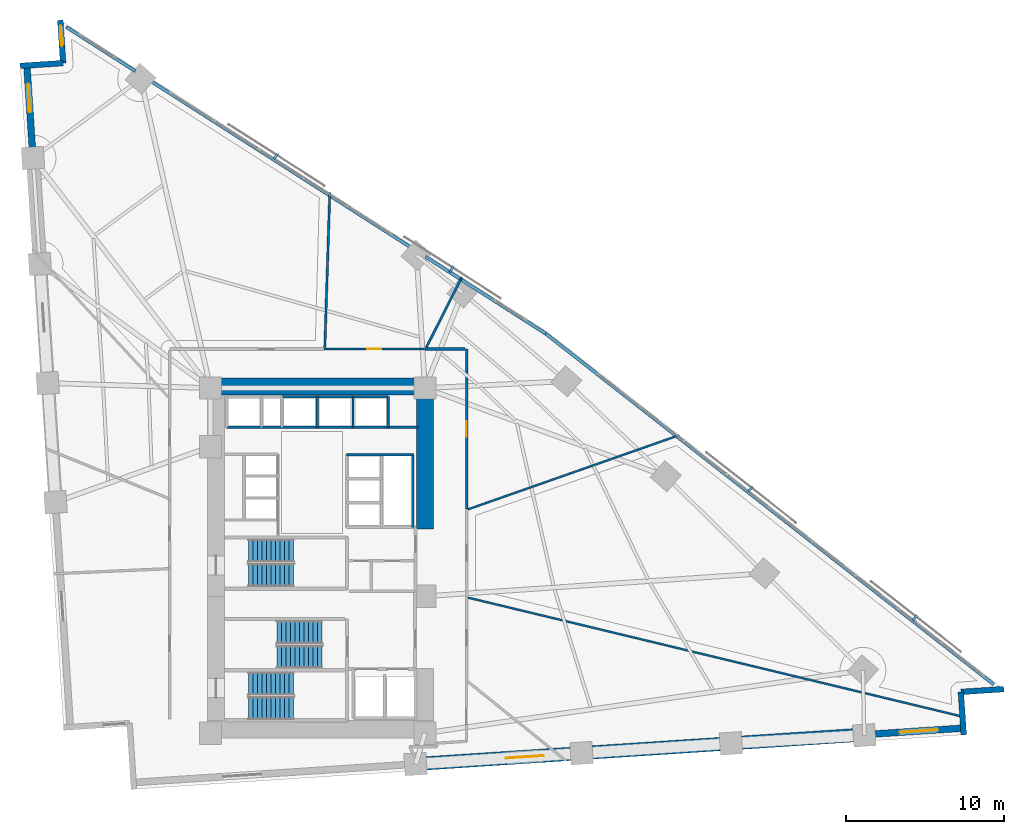
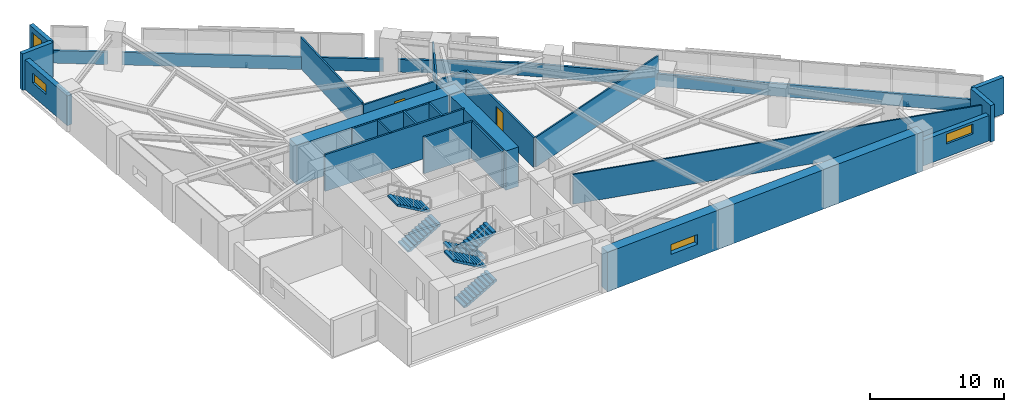
# One storey, part 14 of 16: 27 walls, 6 stair flights, 4 discrete accessories, 4 windows, 2 doors, 6 openings, 3 elements without a shape of their own.
"""IFC4 building model written with IfcOpenShell, lengths in metres."""

from ifc_helpers import new_model, si_unit, direction, frame, frame_2d, origin, origin_2d, place, context, subcontext, project, spatial, polyline, rectangle, outline, extrude, material, layer, layer_set, type_object, element, fill, aggregate, save


model = new_model("IFC4")

# Units and contexts
model_context = context("Model", 3, precision=1e-05, world=origin(), true_north=direction((0.0, 1.0)))
body_context = subcontext(model_context, "Body", "Model", "MODEL_VIEW")
ifc_project = project(units=[si_unit("LENGTHUNIT", "METRE"), si_unit("AREAUNIT", "SQUARE_METRE"), si_unit("VOLUMEUNIT", "CUBIC_METRE"), si_unit("PLANEANGLEUNIT", "RADIAN"), si_unit("MASSUNIT", "GRAM", prefix="KILO")], contexts=[model_context])

# Site, building, storey
site_placement = place(None, origin())
site = spatial("IfcSite", under=ifc_project, at=site_placement, CompositionType="ELEMENT")
building_placement = place(site_placement, origin())
building = spatial("IfcBuilding", under=site, at=building_placement, Name="Narakoshi Arena Tower", CompositionType="ELEMENT")
storey_placement = place(building_placement, frame((0.0, 0.0, 84.89990234375)))
storey = spatial("IfcBuildingStorey", under=building, at=storey_placement, Name="L22", CompositionType="ELEMENT", Elevation=84.89990234375)

# Walls
ifc_material_1 = material(Name="Concrete C60/75", Category="concrete")
ifc_layer_1 = layer(ifc_material_1, 1.10009765625)
ifc_layer_set_1 = layer_set([ifc_layer_1], Name="Concrete C60/75")
wall_type_1 = type_object("IfcWallType", Name="WL-CORE-1100", PredefinedType="SHEAR", material=ifc_layer_set_1)
wall_1_placement = place(storey_placement, frame((71.800048828125, 56.60009765625, -0.260009765625), z_axis=(0.0, 0.0, 1.0), x_axis=(1.0, 0.0, 0.0)))
element("IfcWall", 1, at=wall_1_placement, inside=storey, type_object=wall_type_1, Name="L22 Main Core Shear Wall CW-MN-N", PredefinedType="SHEAR", context=body_context, shape_type="SweptSolid", body=[
    extrude(rectangle(XDim=14.300048828125, YDim=1.10009765625, at=frame_2d((7.14990234375, 0.0))), origin(), (0.0, 0.0, 1.0), 3.60009765625),
])
wall_2_placement = place(storey_placement, frame((85.550048828125, 47.60009765625, -0.260009765625), z_axis=(0.0, 0.0, 1.0), x_axis=(0.0, 1.0, 0.0)))
element("IfcWall", 2, at=wall_2_placement, inside=storey, type_object=wall_type_1, Name="L22 Main Core Shear Wall CW-MN-E", PredefinedType="SHEAR", context=body_context, shape_type="SweptSolid", body=[
    extrude(rectangle(XDim=8.449951171875, YDim=1.10009765625, at=frame_2d((4.22509765625, 0.0))), origin(), (0.0, 0.0, 1.0), 3.60009765625),
])

# Wall, opening, door
ifc_material_2 = material(Name="Gypsum plasterboard fire-rated partition")
ifc_layer_2 = layer(ifc_material_2, 0.1650390625)
ifc_layer_set_2 = layer_set([ifc_layer_2], Name="Gypsum plasterboard fire-rated partition")
wall_type_2 = type_object("IfcWallType", Name="WL-CORR-165", PredefinedType="PARTITIONING", material=ifc_layer_set_2)
wall_3_placement = place(storey_placement, frame((88.177978515625, 48.869384765625, 0.0), z_axis=(0.0, 0.0, 1.0), x_axis=(0.0, 1.0, 0.0)))
wall_3 = element("IfcWall", 3, at=wall_3_placement, inside=storey, type_object=wall_type_2, Name="L22 Corridor Partition 05-1", PredefinedType="PARTITIONING", context=body_context, shape_type="SweptSolid", body=[
    extrude(rectangle(XDim=10.10302734375, YDim=0.1650390625, at=frame_2d((5.051513671875, 0.0))), origin(), (0.0, 0.0, 1.0), 2.72509765625),
])
opening_1_placement = place(wall_3_placement, frame((4.551513671875, 0.0, 0.0)))
opening_1 = element("IfcOpeningElement", 4, at=opening_1_placement, cuts=wall_3, Name="Opening D-06", PredefinedType="OPENING", context=body_context, shape_type="SweptSolid", body=[
    extrude(rectangle(XDim=1.0, YDim=2.199951171875, at=frame_2d((0.5, 1.10009765625))), frame((0.0, 0.092529296875, 0.0), z_axis=(0.0, -1.0, 0.0), x_axis=(1.0, 0.0, 0.0)), (0.0, 0.0, 1.0), 0.18505859375),
])
ifc_material_3 = material(Name="Stained oak solid-core timber", Category="wood")
door_type_1 = type_object("IfcDoorType", Name="DR-OFF-1000", OperationType="NOTDEFINED", PredefinedType="DOOR", material=ifc_material_3)
door_1_placement = place(opening_1_placement, frame((1.0, 0.0, 0.0), z_axis=(0.0, 0.0, 1.0), x_axis=(-1.0, 0.0, 0.0)))
door_1 = element("IfcDoor", 5, at=door_1_placement, inside=storey, type_object=door_type_1, Name="DR-L22-018", OperationType="SINGLE_SWING_RIGHT", OverallHeight=2.199951171875, OverallWidth=1.0, PredefinedType="DOOR", context=body_context, shape_type="SweptSolid", body=[
    extrude(rectangle(XDim=1.0, YDim=2.199951171875, at=frame_2d((0.5, 1.10009765625))), frame((0.0, 0.02490234375, 0.0), z_axis=(0.0, -1.0, 0.0), x_axis=(1.0, 0.0, 0.0)), (0.0, 0.0, 1.0), 0.050048828125),
])
fill(opening_1, door_1)

# Wall
wall_4_placement = place(storey_placement, frame((88.08349609375, 58.972412109375, 0.0), z_axis=(0.0, 0.0, 1.0), x_axis=(-1.0, 0.0, 0.0)))
element("IfcWall", 6, at=wall_4_placement, inside=storey, type_object=wall_type_2, Name="L22 Corridor Partition 05-2", PredefinedType="PARTITIONING", context=body_context, shape_type="SweptSolid", body=[
    extrude(rectangle(XDim=2.537841796875, YDim=0.1650390625, at=frame_2d((1.26904296875, 0.0))), origin(), (0.0, 0.0, 1.0), 2.72509765625),
])

# Wall, opening, window
ifc_layer_3 = layer(ifc_material_1, 0.85009765625)
ifc_layer_set_3 = layer_set([ifc_layer_3], Name="Concrete C60/75")
wall_type_3 = type_object("IfcWallType", Name="WL-LEG-850", PredefinedType="SHEAR", material=ifc_layer_set_3)
wall_5_placement = place(storey_placement, frame((84.95703125, 32.7509765625, -0.260009765625), z_axis=(0.0, 0.0, 1.0), x_axis=(0.997859046449, 0.065401249368, 0.0)))
wall_5 = element("IfcWall", 7, at=wall_5_placement, inside=storey, type_object=wall_type_3, Name="L22 Architectural Concrete Structural Wall LEGA-2", PredefinedType="SHEAR", context=body_context, shape_type="SweptSolid", body=[
    extrude(rectangle(XDim=28.400390625, YDim=0.85009765625, at=frame_2d((14.2001953125, 0.0))), origin(), (0.0, 0.0, 1.0), 3.60009765625),
])
opening_2_placement = place(wall_5_placement, frame((5.699951171875, 0.0, 1.199951171875)))
opening_2 = element("IfcOpeningElement", 8, at=opening_2_placement, cuts=wall_5, Name="Opening WN-01", PredefinedType="OPENING", context=body_context, shape_type="SweptSolid", body=[
    extrude(rectangle(XDim=2.39990234375, YDim=0.89990234375, at=frame_2d((1.199951171875, 0.449951171875))), frame((0.0, 0.43505859375, 0.0), z_axis=(0.0, -1.0, 0.0), x_axis=(1.0, 0.0, 0.0)), (0.0, 0.0, 1.0), 0.8701171875),
])
ifc_material_4 = material(Name="Bronze-tinted low-E laminated glass", Category="glass")
window_type_1 = type_object("IfcWindowType", Name="WIN-SLT-24x09", PartitioningType="SINGLE_PANEL", PredefinedType="WINDOW", material=ifc_material_4)
window_1_placement = place(opening_2_placement, origin())
window_1 = element("IfcWindow", 9, at=window_1_placement, inside=storey, type_object=window_type_1, Name="L22 LEGA2 Horizontal Slot Window 1", OverallHeight=0.89990234375, OverallWidth=2.39990234375, PartitioningType="SINGLE_PANEL", PredefinedType="WINDOW", context=body_context, shape_type="SweptSolid", body=[
    extrude(rectangle(XDim=2.39990234375, YDim=0.89990234375, at=frame_2d((1.199951171875, 0.449951171875))), frame((0.0, 0.030029296875, 0.0), z_axis=(0.0, -1.0, 0.0), x_axis=(1.0, 0.0, 0.0)), (0.0, 0.0, 1.0), 0.06005859375),
])
fill(opening_2, window_1)

# Walls
ifc_material_5 = material(Name="Precast concrete C45/55", Category="concrete")
ifc_layer_4 = layer(ifc_material_5, 0.25)
ifc_layer_set_4 = layer_set([ifc_layer_4], Name="Precast concrete C45/55")
wall_type_4 = type_object("IfcWallType", Name="WL-PARA-250", PredefinedType="PARAPET", material=ifc_layer_set_4)
wall_6_placement = place(storey_placement, frame((121.47607421875, 37.781494140625, 0.0), z_axis=(0.0, 0.0, 1.0), x_axis=(-0.787385636484, 0.61646075257, 0.0)))
element("IfcWall", 10, at=wall_6_placement, inside=storey, type_object=wall_type_4, Name="L22 Hypotenuse Sill Upstand Parapet 1-01", PredefinedType="PARAPET", context=body_context, shape_type="SweptSolid", body=[
    extrude(rectangle(XDim=35.957275390625, YDim=0.199951171875, at=frame_2d((17.978515625, 0.0))), origin(), (0.0, 0.0, 1.0), 1.150146484375),
])
wall_7_placement = place(storey_placement, frame((93.176025390625, 59.93896484375, 0.0), z_axis=(0.0, 0.0, 1.0), x_axis=(-0.842413081081, 0.538832256666, 0.0)))
element("IfcWall", 11, at=wall_7_placement, inside=storey, type_object=wall_type_4, Name="L22 Hypotenuse Sill Upstand Parapet 2-01", PredefinedType="PARAPET", context=body_context, shape_type="SweptSolid", body=[
    extrude(rectangle(XDim=9.010986328125, YDim=0.199951171875, at=frame_2d((4.50537109375, 0.0))), origin(), (0.0, 0.0, 1.0), 1.150146484375),
])
wall_8_placement = place(storey_placement, frame((84.681640625, 65.372314453125, 0.0), z_axis=(0.0, 0.0, 1.0), x_axis=(-0.842418773655, 0.538823356763, 0.0)))
element("IfcWall", 12, at=wall_8_placement, inside=storey, type_object=wall_type_4, Name="L22 Hypotenuse Sill Upstand Parapet 2-02", PredefinedType="PARAPET", context=body_context, shape_type="SweptSolid", body=[
    extrude(rectangle(XDim=19.612060546875, YDim=0.199951171875, at=frame_2d((9.80615234375, 0.0))), origin(), (0.0, 0.0, 1.0), 1.150146484375),
])
wall_9_placement = place(storey_placement, frame((67.2568359375, 76.517578125, 0.0), z_axis=(0.0, 0.0, 1.0), x_axis=(-0.842403631411, 0.538847030042, 0.0)))
element("IfcWall", 13, at=wall_9_placement, inside=storey, type_object=wall_type_4, Name="L22 Hypotenuse Sill Upstand Parapet 2-03", PredefinedType="PARAPET", context=body_context, shape_type="SweptSolid", body=[
    extrude(rectangle(XDim=5.1962890625, YDim=0.199951171875, at=frame_2d((2.59814453125, 0.0))), origin(), (0.0, 0.0, 1.0), 1.150146484375),
])
ifc_layer_5 = layer(ifc_material_2, 0.125)
ifc_layer_set_5 = layer_set([ifc_layer_5], Name="Gypsum plasterboard fire-rated partition")
wall_type_5 = type_object("IfcWallType", Name="WL-PART-125", PredefinedType="PARTITIONING", material=ifc_layer_set_5)
wall_10_placement = place(storey_placement, frame((88.272705078125, 43.26318359375, 0.0), z_axis=(0.0, 0.0, 1.0), x_axis=(0.972246272137, -0.233959796367, 0.0)))
element("IfcWall", 14, at=wall_10_placement, inside=storey, type_object=wall_type_5, Name="L22 Inter-Room Partition 03-04", PredefinedType="PARTITIONING", context=body_context, shape_type="SweptSolid", body=[
    extrude(rectangle(XDim=32.127685546875, YDim=0.125, at=frame_2d((16.06396484375, 0.0))), origin(), (0.0, 0.0, 1.0), 2.72509765625),
])
wall_11_placement = place(storey_placement, frame((88.272705078125, 48.842529296875, 0.0), z_axis=(0.0, 0.0, 1.0), x_axis=(0.943516431549, 0.331325736091, 0.0)))
element("IfcWall", 15, at=wall_11_placement, inside=storey, type_object=wall_type_5, Name="L22 Inter-Room Partition 04-05", PredefinedType="PARTITIONING", context=body_context, shape_type="SweptSolid", body=[
    extrude(rectangle(XDim=14.14697265625, YDim=0.125, at=frame_2d((7.073486328125, 0.0))), origin(), (0.0, 0.0, 1.0), 2.72509765625),
])

# Wall, opening, window
ifc_layer_6 = layer(ifc_material_5, 0.419921875)
ifc_layer_set_6 = layer_set([ifc_layer_6], Name="Precast concrete C45/55")
wall_type_6 = type_object("IfcWallType", Name="WL-POD-420", PredefinedType="SOLIDWALL", material=ifc_layer_set_6)
wall_12_placement = place(storey_placement, frame((113.296630859375, 34.6083984375, 0.0), z_axis=(0.0, 0.0, 1.0), x_axis=(0.997857907016, 0.065418631945, 0.0)))
wall_12 = element("IfcWall", 16, at=wall_12_placement, inside=storey, type_object=wall_type_6, Name="L22 Architectural Concrete Facade Wall LEGA-3", PredefinedType="SOLIDWALL", context=body_context, shape_type="SweptSolid", body=[
    extrude(rectangle(XDim=6.2734375, YDim=0.419921875, at=frame_2d((3.13671875, 0.0))), origin(), (0.0, 0.0, 1.0), 2.3251953125),
])
opening_3_placement = place(wall_12_placement, frame((2.25341796875, 0.0, 1.199951171875)))
opening_3 = element("IfcOpeningElement", 17, at=opening_3_placement, cuts=wall_12, Name="Opening WN-01", PredefinedType="OPENING", context=body_context, shape_type="SweptSolid", body=[
    extrude(rectangle(XDim=2.39990234375, YDim=0.89990234375, at=frame_2d((1.199951171875, 0.449951171875))), frame((0.0, 0.219970703125, 0.0), z_axis=(0.0, -1.0, 0.0), x_axis=(1.0, 0.0, 0.0)), (0.0, 0.0, 1.0), 0.43994140625),
])
window_2_placement = place(opening_3_placement, origin())
window_2 = element("IfcWindow", 18, at=window_2_placement, inside=storey, type_object=window_type_1, Name="L22 LEGA3 Horizontal Slot Window 1", OverallHeight=0.89990234375, OverallWidth=2.39990234375, PartitioningType="SINGLE_PANEL", PredefinedType="WINDOW", context=body_context, shape_type="SweptSolid", body=[
    extrude(rectangle(XDim=2.39990234375, YDim=0.89990234375, at=frame_2d((1.199951171875, 0.449951171875))), frame((0.0, 0.030029296875, 0.0), z_axis=(0.0, -1.0, 0.0), x_axis=(1.0, 0.0, 0.0)), (0.0, 0.0, 1.0), 0.06005859375),
])
fill(opening_3, window_2)

wall_13_placement = place(storey_placement, frame((60.40185546875, 76.8828125, 0.0), z_axis=(0.0, 0.0, 1.0), x_axis=(0.065402662459, -0.997858953832, 0.0)))
wall_13 = element("IfcWall", 19, at=wall_13_placement, inside=storey, type_object=wall_type_6, Name="L22 Architectural Concrete Facade Wall LEGB-1", PredefinedType="SOLIDWALL", context=body_context, shape_type="SweptSolid", body=[
    extrude(rectangle(XDim=5.8642578125, YDim=0.419921875, at=frame_2d((2.93212890625, 0.0))), origin(), (0.0, 0.0, 1.0), 2.72509765625),
])
opening_4_placement = place(wall_13_placement, frame((1.1708984375, 0.0, 1.199951171875)))
opening_4 = element("IfcOpeningElement", 20, at=opening_4_placement, cuts=wall_13, Name="Opening WN-02", PredefinedType="OPENING", context=body_context, shape_type="SweptSolid", body=[
    extrude(rectangle(XDim=1.800048828125, YDim=0.89990234375, at=frame_2d((0.89990234375, 0.449951171875))), frame((0.0, 0.219970703125, 0.0), z_axis=(0.0, -1.0, 0.0), x_axis=(1.0, 0.0, 0.0)), (0.0, 0.0, 1.0), 0.43994140625),
])
window_type_2 = type_object("IfcWindowType", Name="WIN-SLT-18x09", PartitioningType="SINGLE_PANEL", PredefinedType="WINDOW", material=ifc_material_4)
window_3_placement = place(opening_4_placement, origin())
window_3 = element("IfcWindow", 21, at=window_3_placement, inside=storey, type_object=window_type_2, Name="L22 LEGB1 Horizontal Slot Window 1", OverallHeight=0.89990234375, OverallWidth=1.800048828125, PartitioningType="SINGLE_PANEL", PredefinedType="WINDOW", context=body_context, shape_type="SweptSolid", body=[
    extrude(rectangle(XDim=1.800048828125, YDim=0.89990234375, at=frame_2d((0.89990234375, 0.449951171875))), frame((0.0, 0.030029296875, 0.0), z_axis=(0.0, -1.0, 0.0), x_axis=(1.0, 0.0, 0.0)), (0.0, 0.0, 1.0), 0.06005859375),
])
fill(opening_4, window_3)

# Walls
wall_14_placement = place(storey_placement, frame((119.58447265625, 34.594482421875, 0.0), z_axis=(0.0, 0.0, 1.0), x_axis=(-0.065427374496, 0.997857333824, 0.0)))
element("IfcWall", 22, at=wall_14_placement, inside=storey, type_object=wall_type_6, Name="L22 Re-Entrant Corner Notch Wall NTE-1", PredefinedType="SOLIDWALL", context=body_context, shape_type="SweptSolid", body=[
    extrude(rectangle(XDim=2.716552734375, YDim=0.360107421875, at=frame_2d((1.3583984375, 0.0))), origin(), (0.0, 0.0, 1.0), 3.340087890625),
])
wall_15_placement = place(storey_placement, frame((119.40673828125, 37.30517578125, 0.0), z_axis=(0.0, 0.0, 1.0), x_axis=(0.99785694905, 0.065433242561, 0.0)))
element("IfcWall", 23, at=wall_15_placement, inside=storey, type_object=wall_type_6, Name="L22 Re-Entrant Corner Notch Wall NTE-2", PredefinedType="SOLIDWALL", context=body_context, shape_type="SweptSolid", body=[
    extrude(rectangle(XDim=2.71630859375, YDim=0.360107421875, at=frame_2d((1.358154296875, 0.0))), origin(), (0.0, 0.0, 1.0), 3.340087890625),
])

# Wall, opening, window
wall_16_placement = place(storey_placement, frame((62.5107421875, 79.743408203125, 0.0), z_axis=(0.0, 0.0, 1.0), x_axis=(0.065337885661, -0.997863197386, 0.0)))
wall_16 = element("IfcWall", 24, at=wall_16_placement, inside=storey, type_object=wall_type_6, Name="L22 Re-Entrant Corner Notch Wall NTN-1", PredefinedType="SOLIDWALL", context=body_context, shape_type="SweptSolid", body=[
    extrude(rectangle(XDim=2.716552734375, YDim=0.360107421875, at=frame_2d((1.3583984375, 0.0))), origin(), (0.0, 0.0, 1.0), 3.340087890625),
])
opening_5_placement = place(wall_16_placement, frame((0.340087890625, 0.0, 0.449951171875)))
opening_5 = element("IfcOpeningElement", 25, at=opening_5_placement, cuts=wall_16, Name="Opening WN-06", PredefinedType="OPENING", context=body_context, shape_type="SweptSolid", body=[
    extrude(rectangle(XDim=1.300048828125, YDim=2.39990234375, at=frame_2d((0.64990234375, 1.199951171875))), frame((0.0, 0.18994140625, 0.0), z_axis=(0.0, -1.0, 0.0), x_axis=(1.0, 0.0, 0.0)), (0.0, 0.0, 1.0), 0.380126953125),
])
window_type_3 = type_object("IfcWindowType", Name="WIN-NTC-16x24", PartitioningType="SINGLE_PANEL", PredefinedType="WINDOW", material=ifc_material_4)
window_4_placement = place(opening_5_placement, origin())
window_4 = element("IfcWindow", 26, at=window_4_placement, inside=storey, type_object=window_type_3, Name="L22 Corner Notch Window NTN", OverallHeight=2.39990234375, OverallWidth=1.300048828125, PartitioningType="SINGLE_PANEL", PredefinedType="WINDOW", context=body_context, shape_type="SweptSolid", body=[
    extrude(rectangle(XDim=1.300048828125, YDim=2.39990234375, at=frame_2d((0.64990234375, 1.199951171875))), frame((0.0, 0.030029296875, 0.0), z_axis=(0.0, -1.0, 0.0), x_axis=(1.0, 0.0, 0.0)), (0.0, 0.0, 1.0), 0.06005859375),
])
fill(opening_5, window_4)

# Walls
wall_17_placement = place(storey_placement, frame((62.688232421875, 77.03271484375, 0.0), z_axis=(0.0, 0.0, 1.0), x_axis=(-0.99785694905, -0.065433242561, 0.0)))
element("IfcWall", 27, at=wall_17_placement, inside=storey, type_object=wall_type_6, Name="L22 Re-Entrant Corner Notch Wall NTN-2", PredefinedType="SOLIDWALL", context=body_context, shape_type="SweptSolid", body=[
    extrude(rectangle(XDim=2.71630859375, YDim=0.360107421875, at=frame_2d((1.358154296875, 0.0))), origin(), (0.0, 0.0, 1.0), 3.340087890625),
])
ifc_material_6 = material(Name="Concrete C40/50", Category="concrete")
ifc_layer_7 = layer(ifc_material_6, 0.280029296875)
ifc_layer_set_7 = layer_set([ifc_layer_7], Name="Concrete C40/50")
wall_type_7 = type_object("IfcWallType", Name="WL-RISER-280", PredefinedType="PLUMBINGWALL", material=ifc_layer_set_7)
for number, where, z_axis, x_axis, name in (
    (28, (78.75, 54.02001953125, 0.0), (0.0, 0.0, 1.0), (0.0, 1.0, 0.0), "L22 Core Wall HR-D1"),
    (29, (81.0, 54.02001953125, 0.0), (0.0, 0.0, 1.0), (0.0, 1.0, 0.0), "L22 Core Wall HR-D2"),
):
    element("IfcWall", number, at=place(storey_placement, frame(where, z_axis=z_axis, x_axis=x_axis)), inside=storey, type_object=wall_type_7, Name=name, PredefinedType="PLUMBINGWALL", context=body_context, shape_type="SweptSolid", body=[
        extrude(rectangle(XDim=1.9599609375, YDim=0.14990234375, at=frame_2d((0.97998046875, 0.0))), origin(), (0.0, 0.0, 1.0), 3.340087890625),
    ])
ifc_material_7 = material(Name="Concrete C50/60", Category="concrete")
ifc_layer_8 = layer(ifc_material_7, 0.35009765625)
ifc_layer_set_8 = layer_set([ifc_layer_8], Name="Concrete C50/60")
wall_type_8 = type_object("IfcWallType", Name="WL-SHAFT-350", PredefinedType="SOLIDWALL", material=ifc_layer_set_8)
wall_18_placement = place(storey_placement, frame((80.60009765625, 52.300048828125, 0.0), z_axis=(0.0, 0.0, 1.0), x_axis=(1.0, 0.0, 0.0)))
element("IfcWall", 30, at=wall_18_placement, inside=storey, type_object=wall_type_8, Name="L22 Core Wall MR-N", PredefinedType="SOLIDWALL", context=body_context, shape_type="SweptSolid", body=[
    extrude(rectangle(XDim=4.219970703125, YDim=0.159912109375, at=frame_2d((2.10986328125, 0.0))), origin(), (0.0, 0.0, 1.0), 3.340087890625),
])
wall_19_placement = place(storey_placement, frame((84.780029296875, 47.699951171875, 0.0), z_axis=(0.0, 0.0, 1.0), x_axis=(0.0, 1.0, 0.0)))
element("IfcWall", 31, at=wall_19_placement, inside=storey, type_object=wall_type_8, Name="L22 Core Wall MR-E2", PredefinedType="SOLIDWALL", context=body_context, shape_type="SweptSolid", body=[
    extrude(rectangle(XDim=4.60009765625, YDim=0.159912109375, at=frame_2d((2.300048828125, 0.0))), origin(), (0.0, 0.0, 1.0), 3.340087890625),
])
wall_20_placement = place(storey_placement, frame((73.02001953125, 54.02001953125, 0.0), z_axis=(0.0, 0.0, 1.0), x_axis=(1.0, 0.0, 0.0)))
element("IfcWall", 32, at=wall_20_placement, inside=storey, type_object=wall_type_8, Name="L22 Core Wall NSHF-S", PredefinedType="SOLIDWALL", context=body_context, shape_type="SweptSolid", body=[
    extrude(rectangle(XDim=12.080078125, YDim=0.159912109375, at=frame_2d((6.0400390625, 0.0))), origin(), (0.0, 0.0, 1.0), 3.340087890625),
])
wall_21_placement = place(storey_placement, frame((83.219970703125, 54.02001953125, 0.0), z_axis=(0.0, 0.0, 1.0), x_axis=(0.0, 1.0, 0.0)))
element("IfcWall", 33, at=wall_21_placement, inside=storey, type_object=wall_type_8, Name="L22 Core Wall HR-E", PredefinedType="SOLIDWALL", context=body_context, shape_type="SweptSolid", body=[
    extrude(rectangle(XDim=1.9599609375, YDim=0.14990234375, at=frame_2d((0.97998046875, 0.0))), origin(), (0.0, 0.0, 1.0), 3.340087890625),
])
wall_22_placement = place(storey_placement, frame((76.52001953125, 55.9599609375, 0.0), z_axis=(0.0, 0.0, 1.0), x_axis=(1.0, 0.0, 0.0)))
element("IfcWall", 34, at=wall_22_placement, inside=storey, type_object=wall_type_8, Name="L22 Core Wall HR-N", PredefinedType="SOLIDWALL", context=body_context, shape_type="SweptSolid", body=[
    extrude(rectangle(XDim=6.699951171875, YDim=0.14990234375, at=frame_2d((3.35009765625, 0.0))), origin(), (0.0, 0.0, 1.0), 3.340087890625),
])
ifc_material_8 = material(Name="Moisture-resistant cement-board partition")
ifc_layer_9 = layer(ifc_material_8, 0.14501953125)
ifc_layer_set_9 = layer_set([ifc_layer_9], Name="Moisture-resistant cement-board partition")
wall_type_9 = type_object("IfcWallType", Name="WL-WET-145", PredefinedType="PARTITIONING", material=ifc_layer_set_9)
wall_23_placement = place(storey_placement, frame((85.6337890625, 59.06689453125, 0.0), z_axis=(0.0, 0.0, 1.0), x_axis=(0.451108601362, 0.892469063765, 0.0)))
element("IfcWall", 35, at=wall_23_placement, inside=storey, type_object=wall_type_9, Name="L22 Inter-Room Partition 05-06", PredefinedType="PARTITIONING", context=body_context, shape_type="SweptSolid", body=[
    extrude(rectangle(XDim=4.98388671875, YDim=0.14501953125, at=frame_2d((2.491943359375, 0.0))), origin(), (0.0, 0.0, 1.0), 2.72509765625),
])

# Wall, opening, door
wall_24_placement = place(storey_placement, frame((85.518798828125, 58.972412109375, 0.0), z_axis=(0.0, 0.0, 1.0), x_axis=(-1.0, 0.0, 0.0)))
wall_24 = element("IfcWall", 36, at=wall_24_placement, inside=storey, type_object=wall_type_9, Name="L22 Corridor Partition 06-1", PredefinedType="PARTITIONING", context=body_context, shape_type="SweptSolid", body=[
    extrude(rectangle(XDim=6.334228515625, YDim=0.14501953125, at=frame_2d((3.1669921875, 0.0))), origin(), (0.0, 0.0, 1.0), 2.72509765625),
])
opening_6_placement = place(wall_24_placement, frame((2.71728515625, 0.0, 0.0)))
opening_6 = element("IfcOpeningElement", 37, at=opening_6_placement, cuts=wall_24, Name="Opening D-08", PredefinedType="OPENING", context=body_context, shape_type="SweptSolid", body=[
    extrude(rectangle(XDim=0.89990234375, YDim=2.10009765625, at=frame_2d((0.449951171875, 1.050048828125))), frame((0.0, 0.08251953125, 0.0), z_axis=(0.0, -1.0, 0.0), x_axis=(1.0, 0.0, 0.0)), (0.0, 0.0, 1.0), 0.1650390625),
])
ifc_material_9 = material(Name="Moisture-resistant laminate timber", Category="wood")
door_type_2 = type_object("IfcDoorType", Name="DR-WC-900", OperationType="NOTDEFINED", PredefinedType="DOOR", material=ifc_material_9)
door_2_placement = place(opening_6_placement, frame((0.89990234375, 0.0, 0.0), z_axis=(0.0, 0.0, 1.0), x_axis=(-1.0, 0.0, 0.0)))
door_2 = element("IfcDoor", 38, at=door_2_placement, inside=storey, type_object=door_type_2, Name="DR-L22-019", OperationType="SINGLE_SWING_LEFT", OverallHeight=2.10009765625, OverallWidth=0.89990234375, PredefinedType="DOOR", context=body_context, shape_type="SweptSolid", body=[
    extrude(rectangle(XDim=0.89990234375, YDim=2.10009765625, at=frame_2d((0.449951171875, 1.050048828125))), frame((0.0, 0.02490234375, 0.0), z_axis=(0.0, -1.0, 0.0), x_axis=(1.0, 0.0, 0.0)), (0.0, 0.0, 1.0), 0.050048828125),
])
fill(opening_6, door_2)

# Wall
wall_25_placement = place(storey_placement, frame((79.22314453125, 59.056884765625, 0.0), z_axis=(0.0, 0.0, 1.0), x_axis=(0.032009309352, 0.999487570766, 0.0)))
element("IfcWall", 39, at=wall_25_placement, inside=storey, type_object=wall_type_9, Name="L22 Inter-Room Partition 06-07", PredefinedType="PARTITIONING", context=body_context, shape_type="SweptSolid", body=[
    extrude(rectangle(XDim=9.801025390625, YDim=0.14501953125, at=frame_2d((4.900390625, 0.0))), origin(), (0.0, 0.0, 1.0), 2.875),
])

# Stair, stair flights
ifc_material_10 = material(Name="Concrete C45/55", Category="concrete")
stair_type = type_object("IfcStairType", Name="STR-CORE-360", PredefinedType="TWO_STRAIGHT_RUN_STAIR", material=ifc_material_10)
stair_1_placement = place(storey_placement, origin())
stair_1 = element("IfcStair", 40, at=stair_1_placement, inside=storey, type_object=stair_type, Name="L22 Core Escape Stair ST1", PredefinedType="TWO_STRAIGHT_RUN_STAIR")
stair_flight_type = type_object("IfcStairFlightType", Name="FLT-145-160", PredefinedType="STRAIGHT", material=ifc_material_5)
stair_flight_1_placement = place(storey_placement, frame((74.39990234375, 36.27490234375, 0.0), z_axis=(0.0, 0.0, 1.0), x_axis=(1.0, 0.0, 0.0)))
stair_flight_1 = element("IfcStairFlight", 41, at=stair_flight_1_placement, type_object=stair_flight_type, Name="ST1 flight 1", NumberOfRisers=11, NumberOfTreads=10, PredefinedType="STRAIGHT", RiserHeight=0.163636364, TreadLength=0.285, context=body_context, shape_type="SweptSolid", body=[
    extrude(outline(polyline([(0.0, 0.0), (0.0, 0.16357421875), (0.284912109375, 0.16357421875), (0.284912109375, 0.327392578125), (0.570068359375, 0.327392578125), (0.570068359375, 0.490966796875), (0.85498046875, 0.490966796875), (0.85498046875, 0.654541015625), (1.139892578125, 0.654541015625), (1.139892578125, 0.818115234375), (1.425048828125, 0.818115234375), (1.425048828125, 0.98193359375), (1.7099609375, 0.98193359375), (1.7099609375, 1.1455078125), (1.9951171875, 1.1455078125), (1.9951171875, 1.30908203125), (2.280029296875, 1.30908203125), (2.280029296875, 1.47265625), (2.56494140625, 1.47265625), (2.56494140625, 1.636474609375), (2.85009765625, 1.636474609375), (2.85009765625, 1.800048828125), (2.85009765625, 1.463623046875), (0.301025390625, 0.0), (0.0, 0.0)])), frame((0.0, 0.72509765625, 0.0), z_axis=(0.0, -1.0, 0.0), x_axis=(1.0, 0.0, 0.0)), (0.0, 0.0, 1.0), 1.449951171875),
])
stair_flight_2_placement = place(storey_placement, frame((77.25, 37.824951171875, 1.800048828125), z_axis=(0.0, 0.0, 1.0), x_axis=(-1.0, 0.0, 0.0)))
stair_flight_2 = element("IfcStairFlight", 42, at=stair_flight_2_placement, type_object=stair_flight_type, Name="ST1 flight 2", NumberOfRisers=11, NumberOfTreads=10, PredefinedType="STRAIGHT", RiserHeight=0.163636364, TreadLength=0.285, context=body_context, shape_type="SweptSolid", body=[
    extrude(outline(polyline([(0.0, 0.0), (0.0, 0.16357421875), (0.284912109375, 0.16357421875), (0.284912109375, 0.327392578125), (0.570068359375, 0.327392578125), (0.570068359375, 0.490966796875), (0.85498046875, 0.490966796875), (0.85498046875, 0.654541015625), (1.139892578125, 0.654541015625), (1.139892578125, 0.818115234375), (1.425048828125, 0.818115234375), (1.425048828125, 0.98193359375), (1.7099609375, 0.98193359375), (1.7099609375, 1.1455078125), (1.9951171875, 1.1455078125), (1.9951171875, 1.30908203125), (2.280029296875, 1.30908203125), (2.280029296875, 1.47265625), (2.56494140625, 1.47265625), (2.56494140625, 1.636474609375), (2.85009765625, 1.636474609375), (2.85009765625, 1.800048828125), (2.85009765625, 1.463623046875), (0.301025390625, 0.0), (0.0, 0.0)])), frame((0.0, 0.72509765625, 0.0), z_axis=(0.0, -1.0, 0.0), x_axis=(1.0, 0.0, 0.0)), (0.0, 0.0, 1.0), 1.449951171875),
])
aggregate(stair_1, [stair_flight_1, stair_flight_2])

stair_2_placement = place(storey_placement, origin())
stair_2 = element("IfcStair", 43, at=stair_2_placement, inside=storey, type_object=stair_type, Name="L22 Core Escape Stair ST2", PredefinedType="TWO_STRAIGHT_RUN_STAIR")
stair_flight_3_placement = place(storey_placement, frame((79.050048828125, 41.074951171875, 0.0), z_axis=(0.0, 0.0, 1.0), x_axis=(-1.0, 0.0, 0.0)))
stair_flight_3 = element("IfcStairFlight", 44, at=stair_flight_3_placement, type_object=stair_flight_type, Name="ST2 flight 1", NumberOfRisers=11, NumberOfTreads=10, PredefinedType="STRAIGHT", RiserHeight=0.163636364, TreadLength=0.285, context=body_context, shape_type="SweptSolid", body=[
    extrude(outline(polyline([(0.0, 0.0), (0.0, 0.16357421875), (0.284912109375, 0.16357421875), (0.284912109375, 0.327392578125), (0.570068359375, 0.327392578125), (0.570068359375, 0.490966796875), (0.85498046875, 0.490966796875), (0.85498046875, 0.654541015625), (1.139892578125, 0.654541015625), (1.139892578125, 0.818115234375), (1.425048828125, 0.818115234375), (1.425048828125, 0.98193359375), (1.7099609375, 0.98193359375), (1.7099609375, 1.1455078125), (1.9951171875, 1.1455078125), (1.9951171875, 1.30908203125), (2.280029296875, 1.30908203125), (2.280029296875, 1.47265625), (2.56494140625, 1.47265625), (2.56494140625, 1.636474609375), (2.85009765625, 1.636474609375), (2.85009765625, 1.800048828125), (2.85009765625, 1.463623046875), (0.301025390625, 0.0), (0.0, 0.0)])), frame((0.0, 0.72509765625, 0.0), z_axis=(0.0, -1.0, 0.0), x_axis=(1.0, 0.0, 0.0)), (0.0, 0.0, 1.0), 1.449951171875),
])
stair_flight_4_placement = place(storey_placement, frame((76.199951171875, 39.52490234375, 1.800048828125), z_axis=(0.0, 0.0, 1.0), x_axis=(1.0, 0.0, 0.0)))
stair_flight_4 = element("IfcStairFlight", 45, at=stair_flight_4_placement, type_object=stair_flight_type, Name="ST2 flight 2", NumberOfRisers=11, NumberOfTreads=10, PredefinedType="STRAIGHT", RiserHeight=0.163636364, TreadLength=0.285, context=body_context, shape_type="SweptSolid", body=[
    extrude(outline(polyline([(0.0, 0.0), (0.0, 0.16357421875), (0.284912109375, 0.16357421875), (0.284912109375, 0.327392578125), (0.570068359375, 0.327392578125), (0.570068359375, 0.490966796875), (0.85498046875, 0.490966796875), (0.85498046875, 0.654541015625), (1.139892578125, 0.654541015625), (1.139892578125, 0.818115234375), (1.425048828125, 0.818115234375), (1.425048828125, 0.98193359375), (1.7099609375, 0.98193359375), (1.7099609375, 1.1455078125), (1.9951171875, 1.1455078125), (1.9951171875, 1.30908203125), (2.280029296875, 1.30908203125), (2.280029296875, 1.47265625), (2.56494140625, 1.47265625), (2.56494140625, 1.636474609375), (2.85009765625, 1.636474609375), (2.85009765625, 1.800048828125), (2.85009765625, 1.463623046875), (0.301025390625, 0.0), (0.0, 0.0)])), frame((0.0, 0.72509765625, 0.0), z_axis=(0.0, -1.0, 0.0), x_axis=(1.0, 0.0, 0.0)), (0.0, 0.0, 1.0), 1.449951171875),
])
aggregate(stair_2, [stair_flight_3, stair_flight_4])

stair_3_placement = place(storey_placement, origin())
stair_3 = element("IfcStair", 46, at=stair_3_placement, inside=storey, type_object=stair_type, Name="L22 Core Escape Stair ST3", PredefinedType="TWO_STRAIGHT_RUN_STAIR")
stair_flight_5_placement = place(storey_placement, frame((74.39990234375, 44.675048828125, 0.0), z_axis=(0.0, 0.0, 1.0), x_axis=(1.0, 0.0, 0.0)))
stair_flight_5 = element("IfcStairFlight", 47, at=stair_flight_5_placement, type_object=stair_flight_type, Name="ST3 flight 1", NumberOfRisers=11, NumberOfTreads=10, PredefinedType="STRAIGHT", RiserHeight=0.163636364, TreadLength=0.285, context=body_context, shape_type="SweptSolid", body=[
    extrude(outline(polyline([(0.0, 0.0), (0.0, 0.16357421875), (0.284912109375, 0.16357421875), (0.284912109375, 0.327392578125), (0.570068359375, 0.327392578125), (0.570068359375, 0.490966796875), (0.85498046875, 0.490966796875), (0.85498046875, 0.654541015625), (1.139892578125, 0.654541015625), (1.139892578125, 0.818115234375), (1.425048828125, 0.818115234375), (1.425048828125, 0.98193359375), (1.7099609375, 0.98193359375), (1.7099609375, 1.1455078125), (1.9951171875, 1.1455078125), (1.9951171875, 1.30908203125), (2.280029296875, 1.30908203125), (2.280029296875, 1.47265625), (2.56494140625, 1.47265625), (2.56494140625, 1.636474609375), (2.85009765625, 1.636474609375), (2.85009765625, 1.800048828125), (2.85009765625, 1.463623046875), (0.301025390625, 0.0), (0.0, 0.0)])), frame((0.0, 0.72509765625, 0.0), z_axis=(0.0, -1.0, 0.0), x_axis=(1.0, 0.0, 0.0)), (0.0, 0.0, 1.0), 1.449951171875),
])
stair_flight_6_placement = place(storey_placement, frame((77.25, 46.22509765625, 1.800048828125), z_axis=(0.0, 0.0, 1.0), x_axis=(-1.0, 0.0, 0.0)))
stair_flight_6 = element("IfcStairFlight", 48, at=stair_flight_6_placement, type_object=stair_flight_type, Name="ST3 flight 2", NumberOfRisers=11, NumberOfTreads=10, PredefinedType="STRAIGHT", RiserHeight=0.163636364, TreadLength=0.285, context=body_context, shape_type="SweptSolid", body=[
    extrude(outline(polyline([(0.0, 0.0), (0.0, 0.16357421875), (0.284912109375, 0.16357421875), (0.284912109375, 0.327392578125), (0.570068359375, 0.327392578125), (0.570068359375, 0.490966796875), (0.85498046875, 0.490966796875), (0.85498046875, 0.654541015625), (1.139892578125, 0.654541015625), (1.139892578125, 0.818115234375), (1.425048828125, 0.818115234375), (1.425048828125, 0.98193359375), (1.7099609375, 0.98193359375), (1.7099609375, 1.1455078125), (1.9951171875, 1.1455078125), (1.9951171875, 1.30908203125), (2.280029296875, 1.30908203125), (2.280029296875, 1.47265625), (2.56494140625, 1.47265625), (2.56494140625, 1.636474609375), (2.85009765625, 1.636474609375), (2.85009765625, 1.800048828125), (2.85009765625, 1.463623046875), (0.301025390625, 0.0), (0.0, 0.0)])), frame((0.0, 0.72509765625, 0.0), z_axis=(0.0, -1.0, 0.0), x_axis=(1.0, 0.0, 0.0)), (0.0, 0.0, 1.0), 1.449951171875),
])
aggregate(stair_3, [stair_flight_5, stair_flight_6])

# Discrete accessories
ifc_material_11 = material(Name="Structural steel S355J2", Category="steel")
discrete_accessory_type = type_object("IfcDiscreteAccessoryType", Name="ACC-BRK-SCR", PredefinedType="BRACKET", material=ifc_material_11)
for number, where, z_axis, x_axis, name in (
    (49, (116.497314453125, 41.984375, -0.080078125), (0.0, 0.0, 1.0), (-0.787387121413, 0.616458855912, 0.0), "L22 Solar Screen Support Bracket SHD-L22-SCR1-1"),
    (50, (106.103759765625, 50.12158203125, -0.080078125), (0.0, 0.0, 1.0), (-0.787387121413, 0.616458855912, 0.0), "L22 Solar Screen Support Bracket SHD-L22-SCR1-2"),
    (51, (87.239990234375, 64.020751953125, -0.080078125), (0.0, 0.0, 1.0), (-0.842414781658, 0.538829597966, 0.0), "L22 Solar Screen Support Bracket SHD-L22-SCR2-1"),
    (52, (76.1201171875, 71.13330078125, -0.080078125), (0.0, 0.0, 1.0), (-0.842414781658, 0.538829597966, 0.0), "L22 Solar Screen Support Bracket SHD-L22-SCR2-2"),
):
    element("IfcDiscreteAccessory", number, at=place(storey_placement, frame(where, z_axis=z_axis, x_axis=x_axis)), inside=storey, type_object=discrete_accessory_type, Name=name, PredefinedType="BRACKET", context=body_context, shape_type="SweptSolid", body=[
        extrude(rectangle(XDim=0.159912109375, YDim=0.425048828125, at=origin_2d()), origin(), (0.0, 0.0, 1.0), 0.199951171875),
    ])

save(model, "model.ifc")
